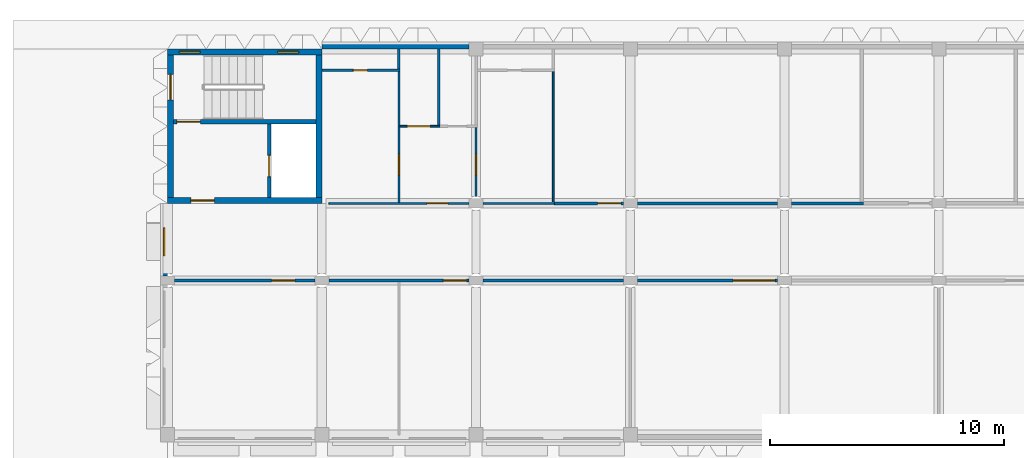
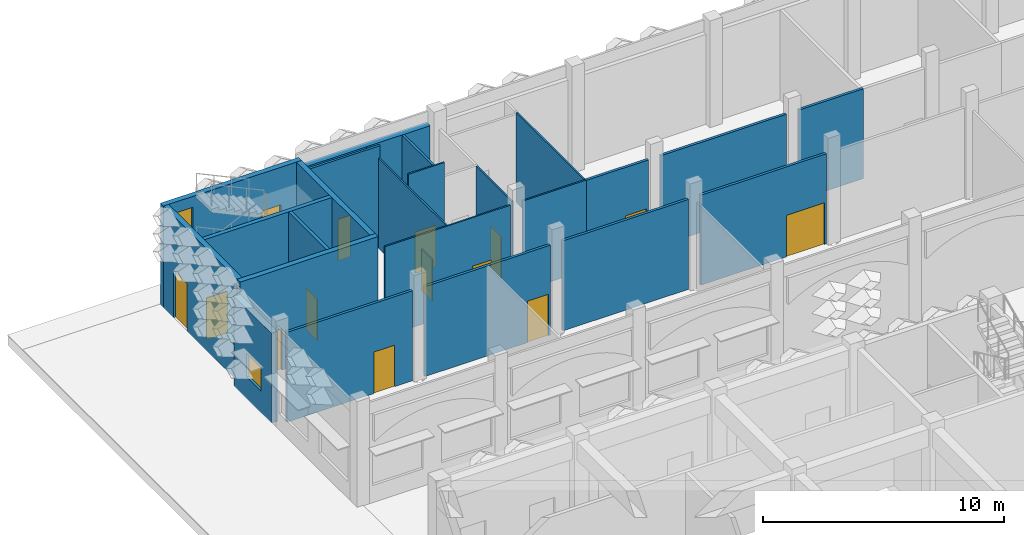
# One storey, part 38 of 85: 24 walls, 13 doors, 3 windows, 16 openings.
"""IFC4 building model written with IfcOpenShell, lengths in metres."""

from ifc_helpers import new_model, si_unit, direction, frame, frame_2d, origin, place, context, subcontext, project, spatial, rectangle, extrude, material, layer, layer_set, type_object, element, fill, save


model = new_model("IFC4")

# Units and contexts
model_context = context("Model", 3, precision=1e-05, world=origin(), true_north=direction((0.0, 1.0)))
body_context = subcontext(model_context, "Body", "Model", "MODEL_VIEW")
ifc_project = project(units=[si_unit("LENGTHUNIT", "METRE"), si_unit("AREAUNIT", "SQUARE_METRE"), si_unit("VOLUMEUNIT", "CUBIC_METRE"), si_unit("PLANEANGLEUNIT", "RADIAN"), si_unit("MASSUNIT", "GRAM", prefix="KILO")], contexts=[model_context])

# Site, building, storey
site_placement = place(None, origin())
site = spatial("IfcSite", under=ifc_project, at=site_placement, CompositionType="ELEMENT")
building_placement = place(site_placement, origin())
building = spatial("IfcBuilding", under=site, at=building_placement, Name="Lantern Court Research Institute", CompositionType="ELEMENT")
storey_placement = place(building_placement, origin())
storey = spatial("IfcBuildingStorey", under=building, at=storey_placement, Name="L00", CompositionType="ELEMENT", Elevation=0.0)

# Wall, opening, window
ifc_material_1 = material(Name="Concrete C30/37", Category="concrete")
ifc_layer_1 = layer(ifc_material_1, 0.300048828125)
ifc_layer_set_1 = layer_set([ifc_layer_1], Name="Concrete C30/37")
wall_type_1 = type_object("IfcWallType", Name="Insulated concrete infill wall 300", PredefinedType="STANDARD", material=ifc_layer_set_1)
wall_1_placement = place(storey_placement, frame((-0.14990234375, 89.300048828125, 0.0), z_axis=(0.0, 0.0, 1.0), x_axis=(0.0, 1.0, 0.0)))
wall_1 = element("IfcWall", 1, at=wall_1_placement, inside=storey, type_object=wall_type_1, Name="Exterior wall EW072", PredefinedType="STANDARD", context=body_context, shape_type="SweptSolid", body=[
    extrude(rectangle(XDim=3.099853515625, YDim=0.300048828125, at=frame_2d((1.5498046875, 0.0))), origin(), (0.0, 0.0, 1.0), 4.550048828125),
])
opening_1_placement = place(wall_1_placement, frame((0.85009765625, 0.0, 1.10009765625)))
opening_1 = element("IfcOpeningElement", 2, at=opening_1_placement, cuts=wall_1, Name="Opening W05", PredefinedType="OPENING", context=body_context, shape_type="SweptSolid", body=[
    extrude(rectangle(XDim=1.199951171875, YDim=1.199951171875, at=frame_2d((0.60009765625, 0.60009765625))), frame((0.0, 0.159912109375, 0.0), z_axis=(0.0, -1.0, 0.0), x_axis=(1.0, 0.0, 0.0)), (0.0, 0.0, 1.0), 0.320068359375),
])
ifc_material_2 = material(Name="Aluminium frame with laminated low-emissivity glazing", Category="aluminium")
window_type_1 = type_object("IfcWindowType", Name="Corridor end window 1200 x 1200", PartitioningType="SINGLE_PANEL", PredefinedType="WINDOW", material=ifc_material_2)
window_1_placement = place(opening_1_placement, origin())
window_1 = element("IfcWindow", 3, at=window_1_placement, inside=storey, type_object=window_type_1, Name="Window W05 V6W L00", OverallHeight=1.199951171875, OverallWidth=1.199951171875, PartitioningType="SINGLE_PANEL", PredefinedType="WINDOW", context=body_context, shape_type="SweptSolid", body=[
    extrude(rectangle(XDim=1.199951171875, YDim=1.199951171875, at=frame_2d((0.60009765625, 0.60009765625))), frame((0.0, 0.030029296875, 0.0), z_axis=(0.0, -1.0, 0.0), x_axis=(1.0, 0.0, 0.0)), (0.0, 0.0, 1.0), 0.06005859375),
])
fill(opening_1, window_1)

# Wall
ifc_material_3 = material(Name="Concrete C30/37", Category="concrete")
ifc_layer_2 = layer(ifc_material_3, 0.300048828125)
ifc_layer_set_2 = layer_set([ifc_layer_2], Name="Concrete C30/37")
wall_type_2 = type_object("IfcWallType", Name="Party wall 300 concrete EI 120", PredefinedType="STANDARD", material=ifc_layer_set_2)
wall_2_placement = place(storey_placement, frame((6.60009765625, 99.14990234375, 0.0), z_axis=(0.0, 0.0, 1.0), x_axis=(1.0, 0.0, 0.0)))
element("IfcWall", 4, at=wall_2_placement, inside=storey, type_object=wall_type_2, Name="Exterior wall EW051", PredefinedType="STANDARD", context=body_context, shape_type="SweptSolid", body=[
    extrude(rectangle(XDim=6.2998046875, YDim=0.300048828125, at=frame_2d((3.14990234375, 0.0))), origin(), (0.0, 0.0, 1.0), 4.550048828125),
])

# Wall, opening, door
ifc_material_4 = material(Name="Gypsum board on metal studs")
ifc_layer_3 = layer(ifc_material_4, 0.125)
ifc_layer_set_3 = layer_set([ifc_layer_3], Name="Gypsum board on metal studs")
wall_type_3 = type_object("IfcWallType", Name="Protected corridor partition 125 mm EI 30", PredefinedType="PARTITIONING", material=ifc_layer_set_3)
wall_3_placement = place(storey_placement, frame((6.300048828125, 89.10009765625, 0.0), z_axis=(0.0, 0.0, 1.0), x_axis=(-1.0, 0.0, 0.0)))
wall_3 = element("IfcWall", 5, at=wall_3_placement, inside=storey, type_object=wall_type_3, Name="Wall V6-L00-001", PredefinedType="PARTITIONING", context=body_context, shape_type="SweptSolid", body=[
    extrude(rectangle(XDim=6.0, YDim=0.125, at=frame_2d((3.0, 0.0))), origin(), (0.0, 0.0, 1.0), 4.550048828125),
])
opening_2_placement = place(wall_3_placement, frame((0.85009765625, 0.0, 0.0)))
opening_2 = element("IfcOpeningElement", 6, at=opening_2_placement, cuts=wall_3, Name="Opening D6001", PredefinedType="OPENING", context=body_context, shape_type="SweptSolid", body=[
    extrude(rectangle(XDim=1.0, YDim=2.10009765625, at=frame_2d((0.5, 1.050048828125))), frame((0.0, 0.072509765625, 0.0), z_axis=(0.0, -1.0, 0.0), x_axis=(1.0, 0.0, 0.0)), (0.0, 0.0, 1.0), 0.14501953125),
])
ifc_material_5 = material(Name="Timber veneered door leaf", Category="wood")
door_type_1 = type_object("IfcDoorType", Name="Door 1000 x 2100 meeting room FD30S", OperationType="NOTDEFINED", PredefinedType="DOOR", material=ifc_material_5)
door_1_placement = place(opening_2_placement, origin())
door_1 = element("IfcDoor", 7, at=door_1_placement, inside=storey, type_object=door_type_1, Name="Door D6001", OperationType="SINGLE_SWING_RIGHT", OverallHeight=2.10009765625, OverallWidth=1.0, PredefinedType="DOOR", context=body_context, shape_type="SweptSolid", body=[
    extrude(rectangle(XDim=1.0, YDim=2.10009765625, at=frame_2d((0.5, 1.050048828125))), frame((0.0, 0.02490234375, 0.0), z_axis=(0.0, -1.0, 0.0), x_axis=(1.0, 0.0, 0.0)), (0.0, 0.0, 1.0), 0.050048828125),
])
fill(opening_2, door_1)

wall_4_placement = place(storey_placement, frame((12.89990234375, 89.10009765625, 0.0), z_axis=(0.0, 0.0, 1.0), x_axis=(-1.0, 0.0, 0.0)))
wall_4 = element("IfcWall", 8, at=wall_4_placement, inside=storey, type_object=wall_type_3, Name="Wall V6-L00-002", PredefinedType="PARTITIONING", context=body_context, shape_type="SweptSolid", body=[
    extrude(rectangle(XDim=6.0, YDim=0.125, at=frame_2d((3.0, 0.0))), origin(), (0.0, 0.0, 1.0), 4.550048828125),
])
opening_3_placement = place(wall_4_placement, frame((0.10009765625, 0.0, 0.0)))
opening_3 = element("IfcOpeningElement", 9, at=opening_3_placement, cuts=wall_4, Name="Opening D6002", PredefinedType="OPENING", context=body_context, shape_type="SweptSolid", body=[
    extrude(rectangle(XDim=1.0, YDim=2.10009765625, at=frame_2d((0.5, 1.050048828125))), frame((0.0, 0.072509765625, 0.0), z_axis=(0.0, -1.0, 0.0), x_axis=(1.0, 0.0, 0.0)), (0.0, 0.0, 1.0), 0.14501953125),
])
door_2_placement = place(opening_3_placement, origin())
door_2 = element("IfcDoor", 10, at=door_2_placement, inside=storey, type_object=door_type_1, Name="Door D6002", OperationType="SINGLE_SWING_RIGHT", OverallHeight=2.10009765625, OverallWidth=1.0, PredefinedType="DOOR", context=body_context, shape_type="SweptSolid", body=[
    extrude(rectangle(XDim=1.0, YDim=2.10009765625, at=frame_2d((0.5, 1.050048828125))), frame((0.0, 0.02490234375, 0.0), z_axis=(0.0, -1.0, 0.0), x_axis=(1.0, 0.0, 0.0)), (0.0, 0.0, 1.0), 0.050048828125),
])
fill(opening_3, door_2)

# Wall
wall_5_placement = place(storey_placement, frame((13.5, 89.10009765625, 0.0), z_axis=(0.0, 0.0, 1.0), x_axis=(1.0, 0.0, 0.0)))
element("IfcWall", 11, at=wall_5_placement, inside=storey, type_object=wall_type_3, Name="Wall V6-L00-003", PredefinedType="PARTITIONING", context=body_context, shape_type="SweptSolid", body=[
    extrude(rectangle(XDim=6.0, YDim=0.125, at=frame_2d((3.0, 0.0))), origin(), (0.0, 0.0, 1.0), 4.550048828125),
])

# Wall, opening, door
wall_6_placement = place(storey_placement, frame((20.10009765625, 89.10009765625, 0.0), z_axis=(0.0, 0.0, 1.0), x_axis=(1.0, 0.0, 0.0)))
wall_6 = element("IfcWall", 12, at=wall_6_placement, inside=storey, type_object=wall_type_3, Name="Wall V6-L00-004", PredefinedType="PARTITIONING", context=body_context, shape_type="SweptSolid", body=[
    extrude(rectangle(XDim=6.0, YDim=0.125, at=frame_2d((3.0, 0.0))), origin(), (0.0, 0.0, 1.0), 4.550048828125),
])
opening_4_placement = place(wall_6_placement, frame((4.10009765625, 0.0, 0.0)))
opening_4 = element("IfcOpeningElement", 13, at=opening_4_placement, cuts=wall_6, Name="Opening D6003", PredefinedType="OPENING", context=body_context, shape_type="SweptSolid", body=[
    extrude(rectangle(XDim=1.800048828125, YDim=2.10009765625, at=frame_2d((0.89990234375, 1.050048828125))), frame((0.0, 0.072509765625, 0.0), z_axis=(0.0, -1.0, 0.0), x_axis=(1.0, 0.0, 0.0)), (0.0, 0.0, 1.0), 0.14501953125),
])
ifc_material_6 = material(Name="Timber veneered door leaf", Category="wood")
door_type_2 = type_object("IfcDoorType", Name="Door 1800 x 2100 reception pair FD30S", OperationType="DOUBLE_DOOR_SINGLE_SWING", PredefinedType="DOOR", material=ifc_material_6)
door_3_placement = place(opening_4_placement, origin())
door_3 = element("IfcDoor", 14, at=door_3_placement, inside=storey, type_object=door_type_2, Name="Door D6003", OperationType="DOUBLE_DOOR_SINGLE_SWING", OverallHeight=2.10009765625, OverallWidth=1.800048828125, PredefinedType="DOOR", context=body_context, shape_type="SweptSolid", body=[
    extrude(rectangle(XDim=1.800048828125, YDim=2.10009765625, at=frame_2d((0.89990234375, 1.050048828125))), frame((0.0, 0.02490234375, 0.0), z_axis=(0.0, -1.0, 0.0), x_axis=(1.0, 0.0, 0.0)), (0.0, 0.0, 1.0), 0.050048828125),
])
fill(opening_4, door_3)

wall_7_placement = place(storey_placement, frame((16.5380859375, 92.39990234375, 0.0), z_axis=(0.0, 0.0, 1.0), x_axis=(1.0, 0.0, 0.0)))
wall_7 = element("IfcWall", 15, at=wall_7_placement, inside=storey, type_object=wall_type_3, Name="Wall V6-L00-014", PredefinedType="PARTITIONING", context=body_context, shape_type="SweptSolid", body=[
    extrude(rectangle(XDim=2.9619140625, YDim=0.125, at=frame_2d((1.48095703125, 0.0))), origin(), (0.0, 0.0, 1.0), 4.550048828125),
])
opening_5_placement = place(wall_7_placement, frame((1.862060546875, 0.0, 0.0)))
opening_5 = element("IfcOpeningElement", 16, at=opening_5_placement, cuts=wall_7, Name="Opening D6008", PredefinedType="OPENING", context=body_context, shape_type="SweptSolid", body=[
    extrude(rectangle(XDim=1.0, YDim=2.10009765625, at=frame_2d((0.5, 1.050048828125))), frame((0.0, 0.072509765625, 0.0), z_axis=(0.0, -1.0, 0.0), x_axis=(1.0, 0.0, 0.0)), (0.0, 0.0, 1.0), 0.14501953125),
])
door_4_placement = place(opening_5_placement, origin())
door_4 = element("IfcDoor", 17, at=door_4_placement, inside=storey, type_object=door_type_1, Name="Door D6008", OperationType="SINGLE_SWING_LEFT", OverallHeight=2.10009765625, OverallWidth=1.0, PredefinedType="DOOR", context=body_context, shape_type="SweptSolid", body=[
    extrude(rectangle(XDim=1.0, YDim=2.10009765625, at=frame_2d((0.5, 1.050048828125))), frame((0.0, 0.02490234375, 0.0), z_axis=(0.0, -1.0, 0.0), x_axis=(1.0, 0.0, 0.0)), (0.0, 0.0, 1.0), 0.050048828125),
])
fill(opening_5, door_4)

# Walls
wall_8_placement = place(storey_placement, frame((20.10009765625, 92.39990234375, 0.0), z_axis=(0.0, 0.0, 1.0), x_axis=(1.0, 0.0, 0.0)))
element("IfcWall", 18, at=wall_8_placement, inside=storey, type_object=wall_type_3, Name="Wall V6-L00-015", PredefinedType="PARTITIONING", context=body_context, shape_type="SweptSolid", body=[
    extrude(rectangle(XDim=6.0, YDim=0.125, at=frame_2d((3.0, 0.0))), origin(), (0.0, 0.0, 1.0), 4.550048828125),
])
wall_9_placement = place(storey_placement, frame((26.699951171875, 92.39990234375, 0.0), z_axis=(0.0, 0.0, 1.0), x_axis=(1.0, 0.0, 0.0)))
element("IfcWall", 19, at=wall_9_placement, inside=storey, type_object=wall_type_3, Name="Wall V6-L00-016", PredefinedType="PARTITIONING", context=body_context, shape_type="SweptSolid", body=[
    extrude(rectangle(XDim=3.074951171875, YDim=0.125, at=frame_2d((1.53759765625, 0.0))), origin(), (0.0, 0.0, 1.0), 4.550048828125),
])

# Wall, opening, door
ifc_material_7 = material(Name="Concrete C40/50", Category="concrete")
ifc_layer_4 = layer(ifc_material_7, 0.25)
ifc_layer_set_4 = layer_set([ifc_layer_4], Name="Concrete C40/50")
wall_type_4 = type_object("IfcWallType", Name="RC core wall 250", PredefinedType="SHEAR", material=ifc_layer_set_4)
wall_10_placement = place(storey_placement, frame((0.0, 92.52490234375, 0.0), z_axis=(0.0, 0.0, 1.0), x_axis=(1.0, 0.0, 0.0)))
wall_10 = element("IfcWall", 20, at=wall_10_placement, inside=storey, type_object=wall_type_4, Name="South wall of core WC-W", PredefinedType="SHEAR", context=body_context, shape_type="SweptSolid", body=[
    extrude(rectangle(XDim=6.60009765625, YDim=0.25, at=frame_2d((3.300048828125, 0.0))), origin(), (0.0, 0.0, 1.0), 5.14990234375),
])
opening_6_placement = place(wall_10_placement, frame((1.0, 0.0, 0.0)))
opening_6 = element("IfcOpeningElement", 21, at=opening_6_placement, cuts=wall_10, Name="Opening D7201", PredefinedType="OPENING", context=body_context, shape_type="SweptSolid", body=[
    extrude(rectangle(XDim=1.0, YDim=2.10009765625, at=frame_2d((0.5, 1.050048828125))), frame((0.0, 0.135009765625, 0.0), z_axis=(0.0, -1.0, 0.0), x_axis=(1.0, 0.0, 0.0)), (0.0, 0.0, 1.0), 0.27001953125),
])
ifc_material_8 = material(Name="Steel fire door leaf with smoke seals", Category="steel")
door_type_3 = type_object("IfcDoorType", Name="Door 1000 x 2100 fire rated FD60S", OperationType="NOTDEFINED", PredefinedType="DOOR", material=ifc_material_8)
door_5_placement = place(opening_6_placement, origin())
door_5 = element("IfcDoor", 22, at=door_5_placement, inside=storey, type_object=door_type_3, Name="Lobby door", OperationType="SINGLE_SWING_RIGHT", OverallHeight=2.10009765625, OverallWidth=1.0, PredefinedType="DOOR", context=body_context, shape_type="SweptSolid", body=[
    extrude(rectangle(XDim=1.0, YDim=2.10009765625, at=frame_2d((0.5, 1.050048828125))), frame((0.0, 0.02490234375, 0.0), z_axis=(0.0, -1.0, 0.0), x_axis=(1.0, 0.0, 0.0)), (0.0, 0.0, 1.0), 0.050048828125),
])
fill(opening_6, door_5)

# Wall
wall_11_placement = place(storey_placement, frame((6.47509765625, 92.64990234375, 0.0), z_axis=(0.0, 0.0, 1.0), x_axis=(0.0, 1.0, 0.0)))
element("IfcWall", 23, at=wall_11_placement, inside=storey, type_object=wall_type_4, Name="East wall of core WC-W", PredefinedType="SHEAR", context=body_context, shape_type="SweptSolid", body=[
    extrude(rectangle(XDim=6.10009765625, YDim=0.25, at=frame_2d((3.050048828125, 0.0))), origin(), (0.0, 0.0, 1.0), 5.14990234375),
])

# Wall, openings, windows
ifc_material_9 = material(Name="Concrete C40/50", Category="concrete")
ifc_layer_5 = layer(ifc_material_9, 0.25)
ifc_layer_set_5 = layer_set([ifc_layer_5], Name="Concrete C40/50")
wall_type_5 = type_object("IfcWallType", Name="RC core wall 250 facade", PredefinedType="SHEAR", material=ifc_layer_set_5)
wall_12_placement = place(storey_placement, frame((0.0, 98.875, 0.0), z_axis=(0.0, 0.0, 1.0), x_axis=(1.0, 0.0, 0.0)))
wall_12 = element("IfcWall", 24, at=wall_12_placement, inside=storey, type_object=wall_type_5, Name="North wall of core WC-W", PredefinedType="SHEAR", context=body_context, shape_type="SweptSolid", body=[
    extrude(rectangle(XDim=6.60009765625, YDim=0.25, at=frame_2d((3.300048828125, 0.0))), origin(), (0.0, 0.0, 1.0), 5.14990234375),
])
opening_7_placement = place(wall_12_placement, frame((4.7099609375, 0.0, 2.050048828125)))
opening_7 = element("IfcOpeningElement", 25, at=opening_7_placement, cuts=wall_12, Name="Opening W6", PredefinedType="OPENING", context=body_context, shape_type="SweptSolid", body=[
    extrude(rectangle(XDim=0.89990234375, YDim=1.199951171875, at=frame_2d((0.449951171875, 0.60009765625))), frame((0.0, 0.135009765625, 0.0), z_axis=(0.0, -1.0, 0.0), x_axis=(1.0, 0.0, 0.0)), (0.0, 0.0, 1.0), 0.27001953125),
])
opening_8_placement = place(wall_12_placement, frame((0.5, 0.0, 3.39990234375)))
opening_8 = element("IfcOpeningElement", 26, at=opening_8_placement, cuts=wall_12, Name="Opening W6", PredefinedType="OPENING", context=body_context, shape_type="SweptSolid", body=[
    extrude(rectangle(XDim=0.89990234375, YDim=1.199951171875, at=frame_2d((0.449951171875, 0.60009765625))), frame((0.0, 0.135009765625, 0.0), z_axis=(0.0, -1.0, 0.0), x_axis=(1.0, 0.0, 0.0)), (0.0, 0.0, 1.0), 0.27001953125),
])
ifc_material_10 = material(Name="Aluminium alloy 6063-T6 frame with laminated glass", Category="aluminium")
window_type_2 = type_object("IfcWindowType", Name="Stair window 900 x 1200", PartitioningType="SINGLE_PANEL", PredefinedType="WINDOW", material=ifc_material_10)
window_2_placement = place(opening_7_placement, origin())
window_2 = element("IfcWindow", 27, at=window_2_placement, inside=storey, type_object=window_type_2, Name="Stair window", OverallHeight=1.199951171875, OverallWidth=0.89990234375, PartitioningType="SINGLE_PANEL", PredefinedType="WINDOW", context=body_context, shape_type="SweptSolid", body=[
    extrude(rectangle(XDim=0.89990234375, YDim=1.199951171875, at=frame_2d((0.449951171875, 0.60009765625))), frame((0.0, 0.030029296875, 0.0), z_axis=(0.0, -1.0, 0.0), x_axis=(1.0, 0.0, 0.0)), (0.0, 0.0, 1.0), 0.06005859375),
])
fill(opening_7, window_2)
window_3_placement = place(opening_8_placement, origin())
window_3 = element("IfcWindow", 28, at=window_3_placement, inside=storey, type_object=window_type_2, Name="Stair window", OverallHeight=1.199951171875, OverallWidth=0.89990234375, PartitioningType="SINGLE_PANEL", PredefinedType="WINDOW", context=body_context, shape_type="SweptSolid", body=[
    extrude(rectangle(XDim=0.89990234375, YDim=1.199951171875, at=frame_2d((0.449951171875, 0.60009765625))), frame((0.0, 0.030029296875, 0.0), z_axis=(0.0, -1.0, 0.0), x_axis=(1.0, 0.0, 0.0)), (0.0, 0.0, 1.0), 0.06005859375),
])
fill(opening_8, window_3)

# Wall, opening, door
wall_13_placement = place(storey_placement, frame((0.125, 92.64990234375, 0.0), z_axis=(0.0, 0.0, 1.0), x_axis=(0.0, 1.0, 0.0)))
wall_13 = element("IfcWall", 29, at=wall_13_placement, inside=storey, type_object=wall_type_5, Name="West wall of core WC-W", PredefinedType="SHEAR", context=body_context, shape_type="SweptSolid", body=[
    extrude(rectangle(XDim=6.10009765625, YDim=0.25, at=frame_2d((3.050048828125, 0.0))), origin(), (0.0, 0.0, 1.0), 5.14990234375),
])
opening_9_placement = place(wall_13_placement, frame((4.175048828125, 0.0, 0.0)))
opening_9 = element("IfcOpeningElement", 30, at=opening_9_placement, cuts=wall_13, Name="Opening D7203", PredefinedType="OPENING", context=body_context, shape_type="SweptSolid", body=[
    extrude(rectangle(XDim=1.10009765625, YDim=2.39990234375, at=frame_2d((0.550048828125, 1.199951171875))), frame((0.0, 0.135009765625, 0.0), z_axis=(0.0, -1.0, 0.0), x_axis=(1.0, 0.0, 0.0)), (0.0, 0.0, 1.0), 0.27001953125),
])
ifc_material_11 = material(Name="Steel fire door leaf with smoke seals", Category="steel")
door_type_4 = type_object("IfcDoorType", Name="Door 1100 x 2400 fire rated FD60S", OperationType="NOTDEFINED", PredefinedType="DOOR", material=ifc_material_11)
door_6_placement = place(opening_9_placement, origin())
door_6 = element("IfcDoor", 31, at=door_6_placement, inside=storey, type_object=door_type_4, Name="Stair exit door", OperationType="SINGLE_SWING_RIGHT", OverallHeight=2.39990234375, OverallWidth=1.10009765625, PredefinedType="DOOR", context=body_context, shape_type="SweptSolid", body=[
    extrude(rectangle(XDim=1.10009765625, YDim=2.39990234375, at=frame_2d((0.550048828125, 1.199951171875))), frame((0.0, 0.02490234375, 0.0), z_axis=(0.0, -1.0, 0.0), x_axis=(1.0, 0.0, 0.0)), (0.0, 0.0, 1.0), 0.050048828125),
])
fill(opening_9, door_6)

ifc_material_12 = material(Name="Concrete C40/50", Category="concrete")
ifc_layer_6 = layer(ifc_material_12, 0.14990234375)
ifc_layer_set_6 = layer_set([ifc_layer_6], Name="Concrete C40/50")
wall_type_6 = type_object("IfcWallType", Name="RC shaft wall 150", PredefinedType="SHEAR", material=ifc_layer_set_6)
wall_14_placement = place(storey_placement, frame((4.35009765625, 92.64990234375, 0.0), z_axis=(0.0, 0.0, 1.0), x_axis=(0.0, 1.0, 0.0)))
wall_14 = element("IfcWall", 32, at=wall_14_placement, inside=storey, type_object=wall_type_6, Name="Riser wall of core WC-W", PredefinedType="SHEAR", context=body_context, shape_type="SweptSolid", body=[
    extrude(rectangle(XDim=3.150146484375, YDim=0.14990234375, at=frame_2d((1.5751953125, 0.0))), origin(), (0.0, 0.0, 1.0), 5.14990234375),
])
opening_10_placement = place(wall_14_placement, frame((0.89990234375, 0.0, 0.0)))
opening_10 = element("IfcOpeningElement", 33, at=opening_10_placement, cuts=wall_14, Name="Opening D7200", PredefinedType="OPENING", context=body_context, shape_type="SweptSolid", body=[
    extrude(rectangle(XDim=0.89990234375, YDim=2.10009765625, at=frame_2d((0.449951171875, 1.050048828125))), frame((0.0, 0.0849609375, 0.0), z_axis=(0.0, -1.0, 0.0), x_axis=(1.0, 0.0, 0.0)), (0.0, 0.0, 1.0), 0.169921875),
])
ifc_material_13 = material(Name="Steel fire door leaf", Category="steel")
door_type_5 = type_object("IfcDoorType", Name="Door 900 x 2100 fire rated FD60", OperationType="NOTDEFINED", PredefinedType="DOOR", material=ifc_material_13)
door_7_placement = place(opening_10_placement, origin())
door_7 = element("IfcDoor", 34, at=door_7_placement, inside=storey, type_object=door_type_5, Name="Riser door", OperationType="SINGLE_SWING_RIGHT", OverallHeight=2.10009765625, OverallWidth=0.89990234375, PredefinedType="DOOR", context=body_context, shape_type="SweptSolid", body=[
    extrude(rectangle(XDim=0.89990234375, YDim=2.10009765625, at=frame_2d((0.449951171875, 1.050048828125))), frame((0.0, 0.02490234375, 0.0), z_axis=(0.0, -1.0, 0.0), x_axis=(1.0, 0.0, 0.0)), (0.0, 0.0, 1.0), 0.050048828125),
])
fill(opening_10, door_7)

ifc_material_14 = material(Name="Concrete C40/50", Category="concrete")
ifc_layer_7 = layer(ifc_material_14, 0.199951171875)
ifc_layer_set_7 = layer_set([ifc_layer_7], Name="Concrete C40/50")
wall_type_7 = type_object("IfcWallType", Name="RC shaft wall 200", PredefinedType="SHEAR", material=ifc_layer_set_7)
wall_15_placement = place(storey_placement, frame((0.25, 95.89990234375, 0.0), z_axis=(0.0, 0.0, 1.0), x_axis=(1.0, 0.0, 0.0)))
wall_15 = element("IfcWall", 35, at=wall_15_placement, inside=storey, type_object=wall_type_7, Name="Stair wall of core WC-W", PredefinedType="SHEAR", context=body_context, shape_type="SweptSolid", body=[
    extrude(rectangle(XDim=6.10009765625, YDim=0.199951171875, at=frame_2d((3.050048828125, 0.0))), origin(), (0.0, 0.0, 1.0), 5.14990234375),
])
opening_11_placement = place(wall_15_placement, frame((0.14990234375, 0.0, 0.0)))
opening_11 = element("IfcOpeningElement", 36, at=opening_11_placement, cuts=wall_15, Name="Opening D7202", PredefinedType="OPENING", context=body_context, shape_type="SweptSolid", body=[
    extrude(rectangle(XDim=1.0, YDim=2.10009765625, at=frame_2d((0.5, 1.050048828125))), frame((0.0, 0.10986328125, 0.0), z_axis=(0.0, -1.0, 0.0), x_axis=(1.0, 0.0, 0.0)), (0.0, 0.0, 1.0), 0.219970703125),
])
door_8_placement = place(opening_11_placement, origin())
door_8 = element("IfcDoor", 37, at=door_8_placement, inside=storey, type_object=door_type_3, Name="Stair door", OperationType="SINGLE_SWING_RIGHT", OverallHeight=2.10009765625, OverallWidth=1.0, PredefinedType="DOOR", context=body_context, shape_type="SweptSolid", body=[
    extrude(rectangle(XDim=1.0, YDim=2.10009765625, at=frame_2d((0.5, 1.050048828125))), frame((0.0, 0.02490234375, 0.0), z_axis=(0.0, -1.0, 0.0), x_axis=(1.0, 0.0, 0.0)), (0.0, 0.0, 1.0), 0.050048828125),
])
fill(opening_11, door_8)

ifc_material_15 = material(Name="Fire-rated gypsum board on metal studs")
ifc_layer_8 = layer(ifc_material_15, 0.110107421875)
ifc_layer_set_8 = layer_set([ifc_layer_8], Name="Fire-rated gypsum board on metal studs")
wall_type_8 = type_object("IfcWallType", Name="Riser wall 110 mm EI 60", PredefinedType="PARTITIONING", material=ifc_layer_set_8)
wall_16_placement = place(storey_placement, frame((9.955078125, 98.10009765625, 0.0), z_axis=(0.0, 0.0, 1.0), x_axis=(-1.0, 0.0, 0.0)))
wall_16 = element("IfcWall", 38, at=wall_16_placement, inside=storey, type_object=wall_type_8, Name="Wall V6-L00-030", PredefinedType="PARTITIONING", context=body_context, shape_type="SweptSolid", body=[
    extrude(rectangle(XDim=3.35498046875, YDim=0.110107421875, at=frame_2d((1.677490234375, 0.0))), origin(), (0.0, 0.0, 1.0), 5.14990234375),
])
opening_12_placement = place(wall_16_placement, frame((1.405029296875, 0.0, 0.0)))
opening_12 = element("IfcOpeningElement", 39, at=opening_12_placement, cuts=wall_16, Name="Opening D6017", PredefinedType="OPENING", context=body_context, shape_type="SweptSolid", body=[
    extrude(rectangle(XDim=0.60009765625, YDim=2.10009765625, at=frame_2d((0.300048828125, 1.050048828125))), frame((0.0, 0.06494140625, 0.0), z_axis=(0.0, -1.0, 0.0), x_axis=(1.0, 0.0, 0.0)), (0.0, 0.0, 1.0), 0.130126953125),
])
ifc_material_16 = material(Name="Coated metal door leaf")
door_type_6 = type_object("IfcDoorType", Name="Door 600 x 2100 riser FD60", OperationType="NOTDEFINED", PredefinedType="DOOR", material=ifc_material_16)
door_9_placement = place(opening_12_placement, origin())
door_9 = element("IfcDoor", 40, at=door_9_placement, inside=storey, type_object=door_type_6, Name="Door D6017", OperationType="SINGLE_SWING_RIGHT", OverallHeight=2.10009765625, OverallWidth=0.60009765625, PredefinedType="DOOR", context=body_context, shape_type="SweptSolid", body=[
    extrude(rectangle(XDim=0.60009765625, YDim=2.10009765625, at=frame_2d((0.300048828125, 1.050048828125))), frame((0.0, 0.02490234375, 0.0), z_axis=(0.0, -1.0, 0.0), x_axis=(1.0, 0.0, 0.0)), (0.0, 0.0, 1.0), 0.050048828125),
])
fill(opening_12, door_9)

# Walls
wall_17_placement = place(storey_placement, frame((9.89990234375, 98.155029296875, 0.0), z_axis=(0.0, 0.0, 1.0), x_axis=(0.0, 1.0, 0.0)))
element("IfcWall", 41, at=wall_17_placement, inside=storey, type_object=wall_type_8, Name="Wall V6-L00-036", PredefinedType="PARTITIONING", context=body_context, shape_type="SweptSolid", body=[
    extrude(rectangle(XDim=0.844970703125, YDim=0.110107421875, at=frame_2d((0.42236328125, 0.0))), origin(), (0.0, 0.0, 1.0), 4.550048828125),
])
wall_18_placement = place(storey_placement, frame((11.60009765625, 95.7548828125, 0.0), z_axis=(0.0, 0.0, 1.0), x_axis=(0.0, 1.0, 0.0)))
element("IfcWall", 42, at=wall_18_placement, inside=storey, type_object=wall_type_8, Name="Wall V6-L00-037", PredefinedType="PARTITIONING", context=body_context, shape_type="SweptSolid", body=[
    extrude(rectangle(XDim=3.2451171875, YDim=0.110107421875, at=frame_2d((1.62255859375, 0.0))), origin(), (0.0, 0.0, 1.0), 4.550048828125),
])

# Wall, opening, door
ifc_material_17 = material(Name="Gypsum board on metal studs")
ifc_layer_9 = layer(ifc_material_17, 0.074951171875)
ifc_layer_set_9 = layer_set([ifc_layer_9], Name="Gypsum board on metal studs")
wall_type_9 = type_object("IfcWallType", Name="Service partition 75 mm", PredefinedType="PARTITIONING", material=ifc_layer_set_9)
wall_19_placement = place(storey_placement, frame((11.655029296875, 95.699951171875, 0.0), z_axis=(0.0, 0.0, 1.0), x_axis=(-1.0, 0.0, 0.0)))
wall_19 = element("IfcWall", 43, at=wall_19_placement, inside=storey, type_object=wall_type_9, Name="Wall V6-L00-026", PredefinedType="PARTITIONING", context=body_context, shape_type="SweptSolid", body=[
    extrude(rectangle(XDim=1.717041015625, YDim=0.074951171875, at=frame_2d((0.8583984375, 0.0))), origin(), (0.0, 0.0, 1.0), 5.14990234375),
])
opening_13_placement = place(wall_19_placement, frame((0.405029296875, 0.0, 0.0)))
opening_13 = element("IfcOpeningElement", 44, at=opening_13_placement, cuts=wall_19, Name="Opening D6013", PredefinedType="OPENING", context=body_context, shape_type="SweptSolid", body=[
    extrude(rectangle(XDim=1.0, YDim=2.10009765625, at=frame_2d((0.5, 1.050048828125))), frame((0.0, 0.04736328125, 0.0), z_axis=(0.0, -1.0, 0.0), x_axis=(1.0, 0.0, 0.0)), (0.0, 0.0, 1.0), 0.094970703125),
])
ifc_material_18 = material(Name="Timber veneered door leaf", Category="wood")
door_type_7 = type_object("IfcDoorType", Name="Door 1000 x 2100 accessible WC", OperationType="NOTDEFINED", PredefinedType="DOOR", material=ifc_material_18)
door_10_placement = place(opening_13_placement, origin())
door_10 = element("IfcDoor", 45, at=door_10_placement, inside=storey, type_object=door_type_7, Name="Door D6013", OperationType="SINGLE_SWING_RIGHT", OverallHeight=2.10009765625, OverallWidth=1.0, PredefinedType="DOOR", context=body_context, shape_type="SweptSolid", body=[
    extrude(rectangle(XDim=1.0, YDim=2.10009765625, at=frame_2d((0.5, 1.050048828125))), frame((0.0, 0.02490234375, 0.0), z_axis=(0.0, -1.0, 0.0), x_axis=(1.0, 0.0, 0.0)), (0.0, 0.0, 1.0), 0.050048828125),
])
fill(opening_13, door_10)

wall_20_placement = place(storey_placement, frame((9.89990234375, 92.43798828125, 0.0), z_axis=(0.0, 0.0, 1.0), x_axis=(0.0, 1.0, 0.0)))
wall_20 = element("IfcWall", 46, at=wall_20_placement, inside=storey, type_object=wall_type_9, Name="Wall V6-L00-035", PredefinedType="PARTITIONING", context=body_context, shape_type="SweptSolid", body=[
    extrude(rectangle(XDim=5.60693359375, YDim=0.074951171875, at=frame_2d((2.803466796875, 0.0))), origin(), (0.0, 0.0, 1.0), 4.550048828125),
])
opening_14_placement = place(wall_20_placement, frame((1.162109375, 0.0, 0.0)))
opening_14 = element("IfcOpeningElement", 47, at=opening_14_placement, cuts=wall_20, Name="Opening D6021", PredefinedType="OPENING", context=body_context, shape_type="SweptSolid", body=[
    extrude(rectangle(XDim=0.89990234375, YDim=2.10009765625, at=frame_2d((0.449951171875, 1.050048828125))), frame((0.0, 0.04736328125, 0.0), z_axis=(0.0, -1.0, 0.0), x_axis=(1.0, 0.0, 0.0)), (0.0, 0.0, 1.0), 0.094970703125),
])
ifc_material_19 = material(Name="Timber veneered door leaf", Category="wood")
door_type_8 = type_object("IfcDoorType", Name="Door 900 x 2100 WC", OperationType="NOTDEFINED", PredefinedType="DOOR", material=ifc_material_19)
door_11_placement = place(opening_14_placement, origin())
door_11 = element("IfcDoor", 48, at=door_11_placement, inside=storey, type_object=door_type_8, Name="Door D6021", OperationType="SINGLE_SWING_LEFT", OverallHeight=2.10009765625, OverallWidth=0.89990234375, PredefinedType="DOOR", context=body_context, shape_type="SweptSolid", body=[
    extrude(rectangle(XDim=0.89990234375, YDim=2.10009765625, at=frame_2d((0.449951171875, 1.050048828125))), frame((0.0, 0.02490234375, 0.0), z_axis=(0.0, -1.0, 0.0), x_axis=(1.0, 0.0, 0.0)), (0.0, 0.0, 1.0), 0.050048828125),
])
fill(opening_14, door_11)

wall_21_placement = place(storey_placement, frame((13.199951171875, 95.64501953125, 0.0), z_axis=(0.0, 0.0, 1.0), x_axis=(0.0, -1.0, 0.0)))
wall_21 = element("IfcWall", 49, at=wall_21_placement, inside=storey, type_object=wall_type_9, Name="Wall V6-L00-038", PredefinedType="PARTITIONING", context=body_context, shape_type="SweptSolid", body=[
    extrude(rectangle(XDim=2.945068359375, YDim=0.074951171875, at=frame_2d((1.47265625, 0.0))), origin(), (0.0, 0.0, 1.0), 4.449951171875),
])
opening_15_placement = place(wall_21_placement, frame((1.14501953125, 0.0, 0.0)))
opening_15 = element("IfcOpeningElement", 50, at=opening_15_placement, cuts=wall_21, Name="Opening D6022", PredefinedType="OPENING", context=body_context, shape_type="SweptSolid", body=[
    extrude(rectangle(XDim=0.89990234375, YDim=2.10009765625, at=frame_2d((0.449951171875, 1.050048828125))), frame((0.0, 0.04736328125, 0.0), z_axis=(0.0, -1.0, 0.0), x_axis=(1.0, 0.0, 0.0)), (0.0, 0.0, 1.0), 0.094970703125),
])
door_12_placement = place(opening_15_placement, origin())
door_12 = element("IfcDoor", 51, at=door_12_placement, inside=storey, type_object=door_type_8, Name="Door D6022", OperationType="SINGLE_SWING_RIGHT", OverallHeight=2.10009765625, OverallWidth=0.89990234375, PredefinedType="DOOR", context=body_context, shape_type="SweptSolid", body=[
    extrude(rectangle(XDim=0.89990234375, YDim=2.10009765625, at=frame_2d((0.449951171875, 1.050048828125))), frame((0.0, 0.02490234375, 0.0), z_axis=(0.0, -1.0, 0.0), x_axis=(1.0, 0.0, 0.0)), (0.0, 0.0, 1.0), 0.050048828125),
])
fill(opening_15, door_12)

# Wall
wall_22_placement = place(storey_placement, frame((16.5, 92.462890625, 0.0), z_axis=(0.0, 0.0, 1.0), x_axis=(0.0, 1.0, 0.0)))
element("IfcWall", 52, at=wall_22_placement, inside=storey, type_object=wall_type_9, Name="Wall V6-L00-040", PredefinedType="PARTITIONING", context=body_context, shape_type="SweptSolid", body=[
    extrude(rectangle(XDim=5.58203125, YDim=0.074951171875, at=frame_2d((2.791015625, 0.0))), origin(), (0.0, 0.0, 1.0), 4.550048828125),
])

# Wall, opening, door
ifc_material_20 = material(Name="Gypsum board on metal studs")
ifc_layer_10 = layer(ifc_material_20, 0.074951171875)
ifc_layer_set_10 = layer_set([ifc_layer_10], Name="Gypsum board on metal studs")
wall_type_10 = type_object("IfcWallType", Name="Service partition 75 mm EI 30", PredefinedType="PARTITIONING", material=ifc_layer_set_10)
wall_23_placement = place(storey_placement, frame((6.89990234375, 92.39990234375, 0.0), z_axis=(0.0, 0.0, 1.0), x_axis=(1.0, 0.0, 0.0)))
wall_23 = element("IfcWall", 53, at=wall_23_placement, inside=storey, type_object=wall_type_10, Name="Wall V6-L00-012", PredefinedType="PARTITIONING", context=body_context, shape_type="SweptSolid", body=[
    extrude(rectangle(XDim=6.0, YDim=0.074951171875, at=frame_2d((3.0, 0.0))), origin(), (0.0, 0.0, 1.0), 4.550048828125),
])
opening_16_placement = place(wall_23_placement, frame((4.199951171875, 0.0, 0.0)))
opening_16 = element("IfcOpeningElement", 54, at=opening_16_placement, cuts=wall_23, Name="Opening D6007", PredefinedType="OPENING", context=body_context, shape_type="SweptSolid", body=[
    extrude(rectangle(XDim=0.89990234375, YDim=2.10009765625, at=frame_2d((0.449951171875, 1.050048828125))), frame((0.0, 0.04736328125, 0.0), z_axis=(0.0, -1.0, 0.0), x_axis=(1.0, 0.0, 0.0)), (0.0, 0.0, 1.0), 0.094970703125),
])
ifc_material_21 = material(Name="Timber veneered door leaf", Category="wood")
door_type_9 = type_object("IfcDoorType", Name="Door 900 x 2100 WC FD30S", OperationType="NOTDEFINED", PredefinedType="DOOR", material=ifc_material_21)
door_13_placement = place(opening_16_placement, origin())
door_13 = element("IfcDoor", 55, at=door_13_placement, inside=storey, type_object=door_type_9, Name="Door D6007", OperationType="SINGLE_SWING_RIGHT", OverallHeight=2.10009765625, OverallWidth=0.89990234375, PredefinedType="DOOR", context=body_context, shape_type="SweptSolid", body=[
    extrude(rectangle(XDim=0.89990234375, YDim=2.10009765625, at=frame_2d((0.449951171875, 1.050048828125))), frame((0.0, 0.02490234375, 0.0), z_axis=(0.0, -1.0, 0.0), x_axis=(1.0, 0.0, 0.0)), (0.0, 0.0, 1.0), 0.050048828125),
])
fill(opening_16, door_13)

# Wall
wall_24_placement = place(storey_placement, frame((13.5, 92.39990234375, 0.0), z_axis=(0.0, 0.0, 1.0), x_axis=(1.0, 0.0, 0.0)))
element("IfcWall", 56, at=wall_24_placement, inside=storey, type_object=wall_type_10, Name="Wall V6-L00-013", PredefinedType="PARTITIONING", context=body_context, shape_type="SweptSolid", body=[
    extrude(rectangle(XDim=3.0380859375, YDim=0.074951171875, at=frame_2d((1.51904296875, 0.0))), origin(), (0.0, 0.0, 1.0), 4.550048828125),
])

save(model, "model.ifc")
